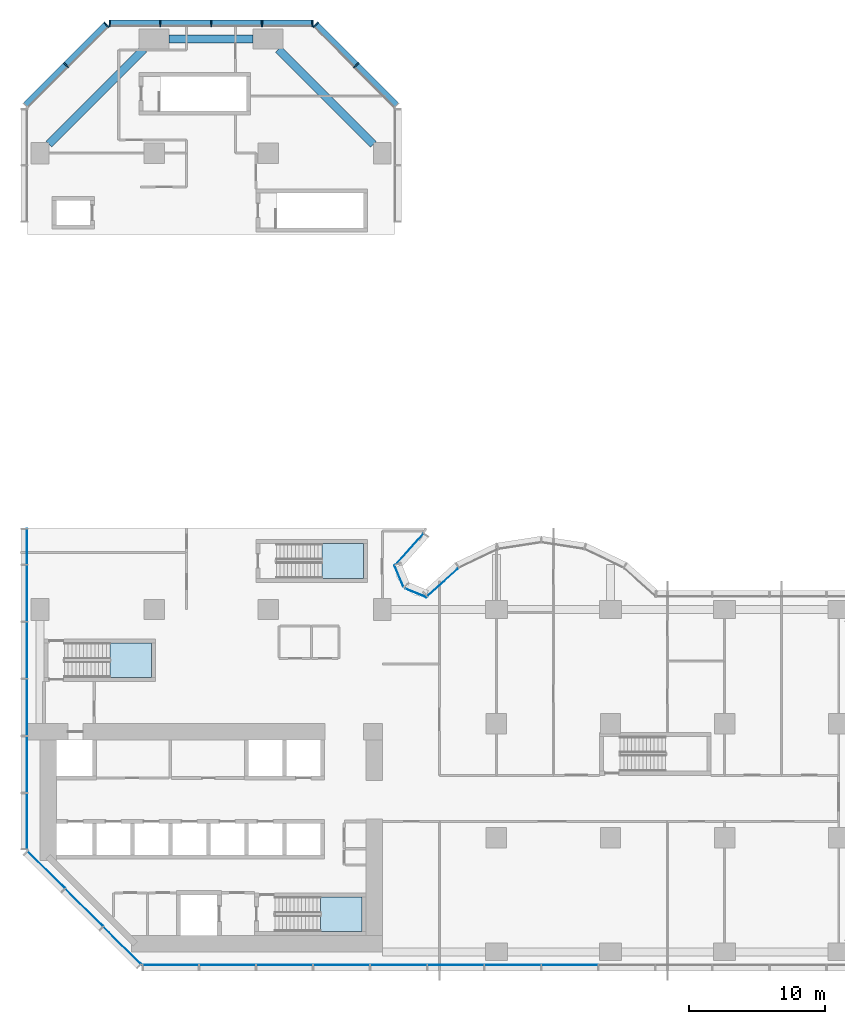
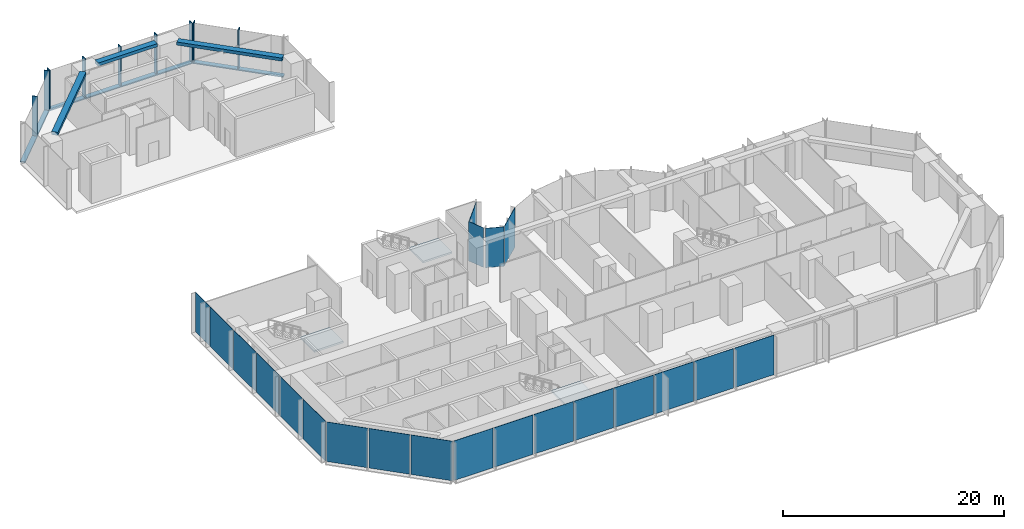
# One storey, part 5 of 13: 21 plates, 12 members, 3 beams, 3 slabs, 12 elements without a shape of their own.
"""IFC4 building model written with IfcOpenShell, lengths in metres."""

from ifc_helpers import new_model, si_unit, direction, frame, origin, origin_2d, place, context, subcontext, project, spatial, polyline, rectangle, outline, extrude, material, layer, layer_set, material_profile, profile_set, type_object, element, aggregate, save


model = new_model("IFC4")

# Units and contexts
model_context = context("Model", 3, precision=1e-05, world=origin(), true_north=direction((0.0, 1.0)))
body_context = subcontext(model_context, "Body", "Model", "MODEL_VIEW")
ifc_project = project(units=[si_unit("LENGTHUNIT", "METRE"), si_unit("AREAUNIT", "SQUARE_METRE"), si_unit("VOLUMEUNIT", "CUBIC_METRE"), si_unit("PLANEANGLEUNIT", "RADIAN"), si_unit("MASSUNIT", "GRAM", prefix="KILO")], contexts=[model_context])

# Site, building, storey
site_placement = place(None, origin())
site = spatial("IfcSite", under=ifc_project, at=site_placement, CompositionType="ELEMENT")
building_placement = place(site_placement, origin())
building = spatial("IfcBuilding", under=site, at=building_placement, Name="Brevane Broadcast Tower", CompositionType="ELEMENT")
storey_placement = place(building_placement, frame((0.0, 0.0, 32.0)))
storey = spatial("IfcBuildingStorey", under=building, at=storey_placement, Name="L05", CompositionType="ELEMENT", Elevation=32.0)

# Curtain wall, members
ifc_material_1 = material(Name="Aluminium 6063-T6 bronze anodised", Category="aluminium")
curtain_wall_type = type_object("IfcCurtainWallType", Name="CW-2 curtain wall", PredefinedType="NOTDEFINED", material=ifc_material_1)
curtain_wall_1_placement = place(storey_placement, origin())
curtain_wall_1 = element("IfcCurtainWall", 1, at=curtain_wall_1_placement, inside=storey, type_object=curtain_wall_type, Name="CW-2 podium base unit L05 north arm north-east chamfer", PredefinedType="NOTDEFINED")
ifc_material_profile_1 = material_profile(ifc_material_1, rectangle(XDim=0.5, YDim=0.090087890625, at=origin_2d()), Name="RECT 90x500")
ifc_profile_set_1 = profile_set([ifc_material_profile_1], Name="Aluminium 6063-T6 bronze anodised")
member_type_1 = type_object("IfcMemberType", Name="CW-2 mullion 90x500", PredefinedType="MULLION", material=ifc_profile_set_1)
member_1_placement = place(storey_placement, frame((23.27685546875, 65.27685546875, -0.1298828125), z_axis=(0.0, 0.0, 1.0), x_axis=(-0.707106781187, -0.707106781187, 0.0)))
member_1 = element("IfcMember", 2, at=member_1_placement, type_object=member_type_1, Name="CW-2 mullion", PredefinedType="MULLION", context=body_context, shape_type="SweptSolid", body=[
    extrude(rectangle(XDim=0.5, YDim=0.090087890625, at=origin_2d()), origin(), (0.0, 0.0, 1.0), 4.3798828125),
])
member_2_placement = place(storey_placement, frame((20.30859375, 68.244873046875, -0.1298828125), z_axis=(0.0, 0.0, 1.0), x_axis=(-0.707106781187, -0.707106781187, 0.0)))
member_2 = element("IfcMember", 3, at=member_2_placement, type_object=member_type_1, Name="CW-2 mullion", PredefinedType="MULLION", context=body_context, shape_type="SweptSolid", body=[
    extrude(rectangle(XDim=0.5, YDim=0.090087890625, at=origin_2d()), origin(), (0.0, 0.0, 1.0), 4.3798828125),
])

curtain_wall_2_placement = place(storey_placement, origin())
curtain_wall_2 = element("IfcCurtainWall", 4, at=curtain_wall_2_placement, inside=storey, type_object=curtain_wall_type, Name="CW-2 podium base unit L05 north end", PredefinedType="NOTDEFINED")
member_3_placement = place(storey_placement, frame((20.054931640625, 68.35009765625, -0.1298828125), z_axis=(0.0, 0.0, 1.0), x_axis=(0.0, -1.0, 0.0)))
member_3 = element("IfcMember", 5, at=member_3_placement, type_object=member_type_1, Name="CW-2 mullion", PredefinedType="MULLION", context=body_context, shape_type="SweptSolid", body=[
    extrude(rectangle(XDim=0.5, YDim=0.090087890625, at=origin_2d()), origin(), (0.0, 0.0, 1.0), 4.3798828125),
])
member_4_placement = place(storey_placement, frame((16.35009765625, 68.35009765625, -0.1298828125), z_axis=(0.0, 0.0, 1.0), x_axis=(0.0, -1.0, 0.0)))
member_4 = element("IfcMember", 6, at=member_4_placement, type_object=member_type_1, Name="CW-2 mullion", PredefinedType="MULLION", context=body_context, shape_type="SweptSolid", body=[
    extrude(rectangle(XDim=0.5, YDim=0.090087890625, at=origin_2d()), origin(), (0.0, 0.0, 1.0), 4.3798828125),
])
member_5_placement = place(storey_placement, frame((12.60009765625, 68.35009765625, -0.1298828125), z_axis=(0.0, 0.0, 1.0), x_axis=(0.0, -1.0, 0.0)))
member_5 = element("IfcMember", 7, at=member_5_placement, type_object=member_type_1, Name="CW-2 mullion", PredefinedType="MULLION", context=body_context, shape_type="SweptSolid", body=[
    extrude(rectangle(XDim=0.5, YDim=0.090087890625, at=origin_2d()), origin(), (0.0, 0.0, 1.0), 4.3798828125),
])
member_6_placement = place(storey_placement, frame((8.85009765625, 68.35009765625, -0.1298828125), z_axis=(0.0, 0.0, 1.0), x_axis=(0.0, -1.0, 0.0)))
member_6 = element("IfcMember", 8, at=member_6_placement, type_object=member_type_1, Name="CW-2 mullion", PredefinedType="MULLION", context=body_context, shape_type="SweptSolid", body=[
    extrude(rectangle(XDim=0.5, YDim=0.090087890625, at=origin_2d()), origin(), (0.0, 0.0, 1.0), 4.3798828125),
])
member_7_placement = place(storey_placement, frame((5.14501953125, 68.35009765625, -0.1298828125), z_axis=(0.0, 0.0, 1.0), x_axis=(0.0, -1.0, 0.0)))
member_7 = element("IfcMember", 9, at=member_7_placement, type_object=member_type_1, Name="CW-2 mullion", PredefinedType="MULLION", context=body_context, shape_type="SweptSolid", body=[
    extrude(rectangle(XDim=0.5, YDim=0.090087890625, at=origin_2d()), origin(), (0.0, 0.0, 1.0), 4.3798828125),
])

curtain_wall_3_placement = place(storey_placement, origin())
curtain_wall_3 = element("IfcCurtainWall", 10, at=curtain_wall_3_placement, inside=storey, type_object=curtain_wall_type, Name="CW-2 podium base unit L05 north-west chamfer", PredefinedType="NOTDEFINED")
member_8_placement = place(storey_placement, frame((4.891357421875, 68.244873046875, -0.1298828125), z_axis=(0.0, 0.0, 1.0), x_axis=(0.707106781187, -0.707106781187, 0.0)))
member_8 = element("IfcMember", 11, at=member_8_placement, type_object=member_type_1, Name="CW-2 mullion", PredefinedType="MULLION", context=body_context, shape_type="SweptSolid", body=[
    extrude(rectangle(XDim=0.5, YDim=0.090087890625, at=origin_2d()), origin(), (0.0, 0.0, 1.0), 4.3798828125),
])
member_9_placement = place(storey_placement, frame((1.92333984375, 65.27685546875, -0.1298828125), z_axis=(0.0, 0.0, 1.0), x_axis=(0.707106781187, -0.707106781187, 0.0)))
member_9 = element("IfcMember", 12, at=member_9_placement, type_object=member_type_1, Name="CW-2 mullion", PredefinedType="MULLION", context=body_context, shape_type="SweptSolid", body=[
    extrude(rectangle(XDim=0.5, YDim=0.090087890625, at=origin_2d()), origin(), (0.0, 0.0, 1.0), 4.3798828125),
])

# Member
ifc_material_profile_2 = material_profile(ifc_material_1, rectangle(XDim=0.5, YDim=0.1201171875, at=origin_2d()), Name="RECT 120x500")
ifc_profile_set_2 = profile_set([ifc_material_profile_2], Name="Aluminium 6063-T6 bronze anodised")
member_type_2 = type_object("IfcMemberType", Name="CW-2 transom 120x500", PredefinedType="USERDEFINED", material=ifc_profile_set_2)
member_10_placement = place(storey_placement, frame((26.27685546875, 62.27685546875, -0.18994140625), z_axis=(-0.707106781187, 0.707106781187, 0.0), x_axis=(-0.707106781187, -0.707106781187, 0.0)))
member_10 = element("IfcMember", 13, at=member_10_placement, type_object=member_type_2, Name="CW-2 transom", ObjectType="TRANSOM", PredefinedType="USERDEFINED", context=body_context, shape_type="SweptSolid", body=[
    extrude(rectangle(XDim=0.5, YDim=0.1201171875, at=origin_2d()), origin(), (0.0, 0.0, 1.0), 8.4853515625),
])

aggregate(curtain_wall_1, [member_1, member_2, member_10])

member_11_placement = place(storey_placement, frame((20.10009765625, 68.35009765625, -0.18994140625), z_axis=(-1.0, 0.0, 0.0), x_axis=(0.0, -1.0, 0.0)))
member_11 = element("IfcMember", 14, at=member_11_placement, type_object=member_type_2, Name="CW-2 transom", ObjectType="TRANSOM", PredefinedType="USERDEFINED", context=body_context, shape_type="SweptSolid", body=[
    extrude(rectangle(XDim=0.5, YDim=0.1201171875, at=origin_2d()), origin(), (0.0, 0.0, 1.0), 15.0),
])

aggregate(curtain_wall_2, [member_3, member_4, member_5, member_6, member_7, member_11])

member_12_placement = place(storey_placement, frame((4.92333984375, 68.27685546875, -0.18994140625), z_axis=(-0.707106781187, -0.707106781187, 0.0), x_axis=(0.707106781187, -0.707106781187, 0.0)))
member_12 = element("IfcMember", 15, at=member_12_placement, type_object=member_type_2, Name="CW-2 transom", ObjectType="TRANSOM", PredefinedType="USERDEFINED", context=body_context, shape_type="SweptSolid", body=[
    extrude(rectangle(XDim=0.5, YDim=0.1201171875, at=origin_2d()), origin(), (0.0, 0.0, 1.0), 8.4853515625),
])

aggregate(curtain_wall_3, [member_8, member_9, member_12])

# Beams
ifc_material_2 = material(Name="Concrete C40/50", Category="concrete")
ifc_material_profile_3 = material_profile(ifc_material_2, rectangle(XDim=0.60009765625, YDim=0.35009765625, at=origin_2d()), Name="RC 600x350")
ifc_profile_set_3 = profile_set([ifc_material_profile_3], Name="Concrete C40/50")
beam_type = type_object("IfcBeamType", Name="RC SPANDREL BEAM 600x350 C40/50", PredefinedType="SPANDREL", material=ifc_profile_set_3)
beam_1_placement = place(storey_placement, frame((24.550048828125, 59.449951171875, 4.074951171875), z_axis=(-0.707106781187, 0.707106781187, 0.0), x_axis=(-0.707106781187, -0.707106781187, 0.0)))
element("IfcBeam", 16, at=beam_1_placement, inside=storey, type_object=beam_type, Name="EB1 L05-12", PredefinedType="SPANDREL", context=body_context, shape_type="SweptSolid", body=[
    extrude(rectangle(XDim=0.60009765625, YDim=0.35009765625, at=origin_2d()), origin(), (0.0, 0.0, 1.0), 9.8994140625),
])
beam_2_placement = place(storey_placement, frame((15.699951171875, 67.199951171875, 4.074951171875), z_axis=(-1.0, 0.0, 0.0), x_axis=(0.0, -1.0, 0.0)))
element("IfcBeam", 17, at=beam_2_placement, inside=storey, type_object=beam_type, Name="EB1 L05-13", PredefinedType="SPANDREL", context=body_context, shape_type="SweptSolid", body=[
    extrude(rectangle(XDim=0.60009765625, YDim=0.35009765625, at=origin_2d()), origin(), (0.0, 0.0, 1.0), 6.199951171875),
])
beam_3_placement = place(storey_placement, frame((7.64990234375, 66.449951171875, 4.074951171875), z_axis=(-0.707106781187, -0.707106781187, 0.0), x_axis=(0.707106781187, -0.707106781187, 0.0)))
element("IfcBeam", 18, at=beam_3_placement, inside=storey, type_object=beam_type, Name="EB1 L05-14", PredefinedType="SPANDREL", context=body_context, shape_type="SweptSolid", body=[
    extrude(rectangle(XDim=0.60009765625, YDim=0.35009765625, at=origin_2d()), origin(), (0.0, 0.0, 1.0), 9.8994140625),
])

# Curtain wall, plates
curtain_wall_4_placement = place(storey_placement, origin())
curtain_wall_4 = element("IfcCurtainWall", 19, at=curtain_wall_4_placement, inside=storey, type_object=curtain_wall_type, Name="CW-2 podium base unit L05 south face", PredefinedType="NOTDEFINED")
ifc_material_3 = material(Name="Laminated glass bronze-tinted", Category="glass")
ifc_layer_1 = layer(ifc_material_3, 0.0400390625)
ifc_layer_set_1 = layer_set([ifc_layer_1], Name="CW tall glass panel 40")
plate_type = type_object("IfcPlateType", Name="CW tall glass panel 40", PredefinedType="CURTAIN_PANEL", material=ifc_layer_set_1)
plate_1_placement = place(storey_placement, frame((0.0, 0.0, -0.1298828125)))
plate_1 = element("IfcPlate", 20, at=plate_1_placement, type_object=plate_type, Name="CW-2 glass panel", PredefinedType="CURTAIN_PANEL", context=body_context, shape_type="SweptSolid", body=[
    extrude(outline(polyline([(11.655029296875, -0.969970703125), (11.655029296875, -0.929931640625), (7.544921875, -0.929931640625), (7.544921875, -0.969970703125), (11.655029296875, -0.969970703125)])), origin(), (0.0, 0.0, 1.0), 4.3798828125),
])
plate_2_placement = place(storey_placement, frame((0.0, 0.0, -0.1298828125)))
plate_2 = element("IfcPlate", 21, at=plate_2_placement, type_object=plate_type, Name="CW-2 glass panel", PredefinedType="CURTAIN_PANEL", context=body_context, shape_type="SweptSolid", body=[
    extrude(outline(polyline([(15.85498046875, -0.969970703125), (15.85498046875, -0.929931640625), (11.7451171875, -0.929931640625), (11.7451171875, -0.969970703125), (15.85498046875, -0.969970703125)])), origin(), (0.0, 0.0, 1.0), 4.3798828125),
])
plate_3_placement = place(storey_placement, frame((0.0, 0.0, -0.1298828125)))
plate_3 = element("IfcPlate", 22, at=plate_3_placement, type_object=plate_type, Name="CW-2 glass panel", PredefinedType="CURTAIN_PANEL", context=body_context, shape_type="SweptSolid", body=[
    extrude(outline(polyline([(20.054931640625, -0.969970703125), (20.054931640625, -0.929931640625), (15.945068359375, -0.929931640625), (15.945068359375, -0.969970703125), (20.054931640625, -0.969970703125)])), origin(), (0.0, 0.0, 1.0), 4.3798828125),
])
plate_4_placement = place(storey_placement, frame((0.0, 0.0, -0.1298828125)))
plate_4 = element("IfcPlate", 23, at=plate_4_placement, type_object=plate_type, Name="CW-2 glass panel", PredefinedType="CURTAIN_PANEL", context=body_context, shape_type="SweptSolid", body=[
    extrude(outline(polyline([(24.2548828125, -0.969970703125), (24.2548828125, -0.929931640625), (20.14501953125, -0.929931640625), (20.14501953125, -0.969970703125), (24.2548828125, -0.969970703125)])), origin(), (0.0, 0.0, 1.0), 4.3798828125),
])
plate_5_placement = place(storey_placement, frame((0.0, 0.0, -0.1298828125)))
plate_5 = element("IfcPlate", 24, at=plate_5_placement, type_object=plate_type, Name="CW-2 glass panel", PredefinedType="CURTAIN_PANEL", context=body_context, shape_type="SweptSolid", body=[
    extrude(outline(polyline([(28.455078125, -0.969970703125), (28.455078125, -0.929931640625), (24.344970703125, -0.929931640625), (24.344970703125, -0.969970703125), (28.455078125, -0.969970703125)])), origin(), (0.0, 0.0, 1.0), 4.3798828125),
])
plate_6_placement = place(storey_placement, frame((0.0, 0.0, -0.1298828125)))
plate_6 = element("IfcPlate", 25, at=plate_6_placement, type_object=plate_type, Name="CW-2 glass panel", PredefinedType="CURTAIN_PANEL", context=body_context, shape_type="SweptSolid", body=[
    extrude(outline(polyline([(32.655029296875, -0.969970703125), (32.655029296875, -0.929931640625), (28.544921875, -0.929931640625), (28.544921875, -0.969970703125), (32.655029296875, -0.969970703125)])), origin(), (0.0, 0.0, 1.0), 4.3798828125),
])
plate_7_placement = place(storey_placement, frame((0.0, 0.0, -0.1298828125)))
plate_7 = element("IfcPlate", 26, at=plate_7_placement, type_object=plate_type, Name="CW-2 glass panel", PredefinedType="CURTAIN_PANEL", context=body_context, shape_type="SweptSolid", body=[
    extrude(outline(polyline([(36.85498046875, -0.969970703125), (36.85498046875, -0.929931640625), (32.7451171875, -0.929931640625), (32.7451171875, -0.969970703125), (36.85498046875, -0.969970703125)])), origin(), (0.0, 0.0, 1.0), 4.3798828125),
])
plate_8_placement = place(storey_placement, frame((0.0, 0.0, -0.1298828125)))
plate_8 = element("IfcPlate", 27, at=plate_8_placement, type_object=plate_type, Name="CW-2 glass panel", PredefinedType="CURTAIN_PANEL", context=body_context, shape_type="SweptSolid", body=[
    extrude(outline(polyline([(41.054931640625, -0.969970703125), (41.054931640625, -0.929931640625), (36.945068359375, -0.929931640625), (36.945068359375, -0.969970703125), (41.054931640625, -0.969970703125)])), origin(), (0.0, 0.0, 1.0), 4.3798828125),
])
aggregate(curtain_wall_4, [plate_1, plate_2, plate_3, plate_4, plate_5, plate_6, plate_7, plate_8])

# Curtain wall, plate
curtain_wall_5_placement = place(storey_placement, origin())
curtain_wall_5 = element("IfcCurtainWall", 28, at=curtain_wall_5_placement, inside=storey, type_object=curtain_wall_type, Name="CW-2 podium base unit L05 east bow", PredefinedType="NOTDEFINED")
plate_9_placement = place(storey_placement, frame((0.0, 0.0, -0.1298828125)))
plate_9 = element("IfcPlate", 29, at=plate_9_placement, type_object=plate_type, Name="CW-2 glass panel", PredefinedType="CURTAIN_PANEL", context=body_context, shape_type="SweptSolid", body=[
    extrude(outline(polyline([(30.793701171875, 28.21240234375), (30.77099609375, 28.24609375), (28.486572265625, 26.18212890625), (28.51318359375, 26.15234375), (30.793701171875, 28.21240234375)])), origin(), (0.0, 0.0, 1.0), 4.3798828125),
])
aggregate(curtain_wall_5, [plate_9])

# Curtain wall, plates
curtain_wall_6_placement = place(storey_placement, origin())
curtain_wall_6 = element("IfcCurtainWall", 30, at=curtain_wall_6_placement, inside=storey, type_object=curtain_wall_type, Name="CW-2 podium base unit L05 inner corner", PredefinedType="NOTDEFINED")
plate_10_placement = place(storey_placement, frame((0.0, 0.0, -0.1298828125)))
plate_10 = element("IfcPlate", 31, at=plate_10_placement, type_object=plate_type, Name="CW-2 glass panel", PredefinedType="CURTAIN_PANEL", context=body_context, shape_type="SweptSolid", body=[
    extrude(outline(polyline([(28.4423828125, 26.07861328125), (28.457763671875, 26.115478515625), (26.90380859375, 26.759033203125), (26.873046875, 26.728515625), (28.4423828125, 26.07861328125)])), origin(), (0.0, 0.0, 1.0), 4.3798828125),
])
plate_11_placement = place(storey_placement, frame((0.0, 0.0, -0.1298828125)))
plate_11 = element("IfcPlate", 32, at=plate_11_placement, type_object=plate_type, Name="CW-2 glass panel", PredefinedType="CURTAIN_PANEL", context=body_context, shape_type="SweptSolid", body=[
    extrude(outline(polyline([(26.728515625, 26.873046875), (26.759033203125, 26.90380859375), (26.115478515625, 28.457763671875), (26.07861328125, 28.4423828125), (26.728515625, 26.873046875)])), origin(), (0.0, 0.0, 1.0), 4.3798828125),
])
aggregate(curtain_wall_6, [plate_10, plate_11])

# Curtain wall, plate
curtain_wall_7_placement = place(storey_placement, origin())
curtain_wall_7 = element("IfcCurtainWall", 33, at=curtain_wall_7_placement, inside=storey, type_object=curtain_wall_type, Name="CW-2 podium base unit L05 north bow", PredefinedType="NOTDEFINED")
plate_12_placement = place(storey_placement, frame((0.0, 0.0, -0.1298828125)))
plate_12 = element("IfcPlate", 34, at=plate_12_placement, type_object=plate_type, Name="CW-2 glass panel", PredefinedType="CURTAIN_PANEL", context=body_context, shape_type="SweptSolid", body=[
    extrude(outline(polyline([(26.15234375, 28.51318359375), (26.18212890625, 28.486572265625), (28.24609375, 30.77099609375), (28.21240234375, 30.793701171875), (26.15234375, 28.51318359375)])), origin(), (0.0, 0.0, 1.0), 4.3798828125),
])
aggregate(curtain_wall_7, [plate_12])

# Curtain wall, plates
curtain_wall_8_placement = place(storey_placement, origin())
curtain_wall_8 = element("IfcCurtainWall", 35, at=curtain_wall_8_placement, inside=storey, type_object=curtain_wall_type, Name="CW-2 podium base unit L05 west face", PredefinedType="NOTDEFINED")
plate_13_placement = place(storey_placement, frame((0.0, 0.0, -0.1298828125)))
plate_13 = element("IfcPlate", 36, at=plate_13_placement, type_object=plate_type, Name="CW-2 glass panel", PredefinedType="CURTAIN_PANEL", context=body_context, shape_type="SweptSolid", body=[
    extrude(outline(polyline([(-0.969970703125, 28.544921875), (-0.929931640625, 28.544921875), (-0.929931640625, 31.155029296875), (-0.969970703125, 31.155029296875), (-0.969970703125, 28.544921875)])), origin(), (0.0, 0.0, 1.0), 4.3798828125),
])
plate_14_placement = place(storey_placement, frame((0.0, 0.0, -0.1298828125)))
plate_14 = element("IfcPlate", 37, at=plate_14_placement, type_object=plate_type, Name="CW-2 glass panel", PredefinedType="CURTAIN_PANEL", context=body_context, shape_type="SweptSolid", body=[
    extrude(outline(polyline([(-0.969970703125, 24.344970703125), (-0.929931640625, 24.344970703125), (-0.929931640625, 28.455078125), (-0.969970703125, 28.455078125), (-0.969970703125, 24.344970703125)])), origin(), (0.0, 0.0, 1.0), 4.3798828125),
])
plate_15_placement = place(storey_placement, frame((0.0, 0.0, -0.1298828125)))
plate_15 = element("IfcPlate", 38, at=plate_15_placement, type_object=plate_type, Name="CW-2 glass panel", PredefinedType="CURTAIN_PANEL", context=body_context, shape_type="SweptSolid", body=[
    extrude(outline(polyline([(-0.969970703125, 20.14501953125), (-0.929931640625, 20.14501953125), (-0.929931640625, 24.2548828125), (-0.969970703125, 24.2548828125), (-0.969970703125, 20.14501953125)])), origin(), (0.0, 0.0, 1.0), 4.3798828125),
])
plate_16_placement = place(storey_placement, frame((0.0, 0.0, -0.1298828125)))
plate_16 = element("IfcPlate", 39, at=plate_16_placement, type_object=plate_type, Name="CW-2 glass panel", PredefinedType="CURTAIN_PANEL", context=body_context, shape_type="SweptSolid", body=[
    extrude(outline(polyline([(-0.969970703125, 15.945068359375), (-0.929931640625, 15.945068359375), (-0.929931640625, 20.054931640625), (-0.969970703125, 20.054931640625), (-0.969970703125, 15.945068359375)])), origin(), (0.0, 0.0, 1.0), 4.3798828125),
])
plate_17_placement = place(storey_placement, frame((0.0, 0.0, -0.1298828125)))
plate_17 = element("IfcPlate", 40, at=plate_17_placement, type_object=plate_type, Name="CW-2 glass panel", PredefinedType="CURTAIN_PANEL", context=body_context, shape_type="SweptSolid", body=[
    extrude(outline(polyline([(-0.969970703125, 11.7451171875), (-0.929931640625, 11.7451171875), (-0.929931640625, 15.85498046875), (-0.969970703125, 15.85498046875), (-0.969970703125, 11.7451171875)])), origin(), (0.0, 0.0, 1.0), 4.3798828125),
])
plate_18_placement = place(storey_placement, frame((0.0, 0.0, -0.1298828125)))
plate_18 = element("IfcPlate", 41, at=plate_18_placement, type_object=plate_type, Name="CW-2 glass panel", PredefinedType="CURTAIN_PANEL", context=body_context, shape_type="SweptSolid", body=[
    extrude(outline(polyline([(-0.969970703125, 7.544921875), (-0.929931640625, 7.544921875), (-0.929931640625, 11.655029296875), (-0.969970703125, 11.655029296875), (-0.969970703125, 7.544921875)])), origin(), (0.0, 0.0, 1.0), 4.3798828125),
])
aggregate(curtain_wall_8, [plate_13, plate_14, plate_15, plate_16, plate_17, plate_18])

curtain_wall_9_placement = place(storey_placement, origin())
curtain_wall_9 = element("IfcCurtainWall", 42, at=curtain_wall_9_placement, inside=storey, type_object=curtain_wall_type, Name="CW-2 podium base unit L05 south-west chamfer", PredefinedType="NOTDEFINED")
plate_19_placement = place(storey_placement, frame((0.0, 0.0, -0.1298828125)))
plate_19 = element("IfcPlate", 43, at=plate_19_placement, type_object=plate_type, Name="CW-2 glass panel", PredefinedType="CURTAIN_PANEL", context=body_context, shape_type="SweptSolid", body=[
    extrude(outline(polyline([(-0.889404296875, 7.447021484375), (1.846923828125, 4.710693359375), (1.818603515625, 4.682373046875), (-0.917724609375, 7.418701171875), (-0.889404296875, 7.447021484375)])), origin(), (0.0, 0.0, 1.0), 4.3798828125),
])
plate_20_placement = place(storey_placement, frame((0.0, 0.0, -0.1298828125)))
plate_20 = element("IfcPlate", 44, at=plate_20_placement, type_object=plate_type, Name="CW-2 glass panel", PredefinedType="CURTAIN_PANEL", context=body_context, shape_type="SweptSolid", body=[
    extrude(outline(polyline([(1.91064453125, 4.64697265625), (4.64697265625, 1.91064453125), (4.61865234375, 1.88232421875), (1.88232421875, 4.61865234375), (1.91064453125, 4.64697265625)])), origin(), (0.0, 0.0, 1.0), 4.3798828125),
])
plate_21_placement = place(storey_placement, frame((0.0, 0.0, -0.1298828125)))
plate_21 = element("IfcPlate", 45, at=plate_21_placement, type_object=plate_type, Name="CW-2 glass panel", PredefinedType="CURTAIN_PANEL", context=body_context, shape_type="SweptSolid", body=[
    extrude(outline(polyline([(4.710693359375, 1.846923828125), (7.447021484375, -0.889404296875), (7.418701171875, -0.917724609375), (4.682373046875, 1.818603515625), (4.710693359375, 1.846923828125)])), origin(), (0.0, 0.0, 1.0), 4.3798828125),
])
aggregate(curtain_wall_9, [plate_19, plate_20, plate_21])

# Stair, slab
ifc_material_4 = material(Name="Concrete C50/60", Category="concrete")
stair_type = type_object("IfcStairType", Name="Exit stair 26 risers", PredefinedType="HALF_TURN_STAIR", material=ifc_material_4)
stair_1_placement = place(storey_placement, origin())
stair_1 = element("IfcStair", 46, at=stair_1_placement, inside=storey, type_object=stair_type, Name="L05 Exit stair ST-1", PredefinedType="HALF_TURN_STAIR")
ifc_layer_2 = layer(ifc_material_4, 0.199951171875)
ifc_layer_set_2 = layer_set([ifc_layer_2], Name="Exit stair landing")
slab_type = type_object("IfcSlabType", Name="Exit stair landing", PredefinedType="LANDING", material=ifc_layer_set_2)
slab_1_placement = place(storey_placement, frame((0.0, 0.0, 2.050048828125)))
slab_1 = element("IfcSlab", 47, at=slab_1_placement, type_object=slab_type, Name="ST-1 landing 1", PredefinedType="LANDING", context=body_context, shape_type="SweptSolid", body=[
    extrude(outline(polyline([(5.159912109375, 20.199951171875), (8.199951171875, 20.199951171875), (8.199951171875, 22.75), (5.159912109375, 22.75), (5.159912109375, 20.199951171875)])), origin(), (0.0, 0.0, 1.0), 0.199951171875),
])
aggregate(stair_1, [slab_1])

stair_2_placement = place(storey_placement, origin())
stair_2 = element("IfcStair", 48, at=stair_2_placement, inside=storey, type_object=stair_type, Name="L05 Exit stair ST-2", PredefinedType="HALF_TURN_STAIR")
slab_2_placement = place(storey_placement, frame((0.0, 0.0, 2.050048828125)))
slab_2 = element("IfcSlab", 49, at=slab_2_placement, type_object=slab_type, Name="ST-2 landing 1", PredefinedType="LANDING", context=body_context, shape_type="SweptSolid", body=[
    extrude(outline(polyline([(20.659912109375, 1.5), (23.699951171875, 1.5), (23.699951171875, 4.050048828125), (20.659912109375, 4.050048828125), (20.659912109375, 1.5)])), origin(), (0.0, 0.0, 1.0), 0.199951171875),
])
aggregate(stair_2, [slab_2])

stair_3_placement = place(storey_placement, origin())
stair_3 = element("IfcStair", 50, at=stair_3_placement, inside=storey, type_object=stair_type, Name="L05 Exit stair ST-3", PredefinedType="HALF_TURN_STAIR")
slab_3_placement = place(storey_placement, frame((0.0, 0.0, 2.050048828125)))
slab_3 = element("IfcSlab", 51, at=slab_3_placement, type_object=slab_type, Name="ST-3 landing 1", PredefinedType="LANDING", context=body_context, shape_type="SweptSolid", body=[
    extrude(outline(polyline([(20.760009765625, 27.5), (23.800048828125, 27.5), (23.800048828125, 30.050048828125), (20.760009765625, 30.050048828125), (20.760009765625, 27.5)])), origin(), (0.0, 0.0, 1.0), 0.199951171875),
])
aggregate(stair_3, [slab_3])

save(model, "model.ifc")
